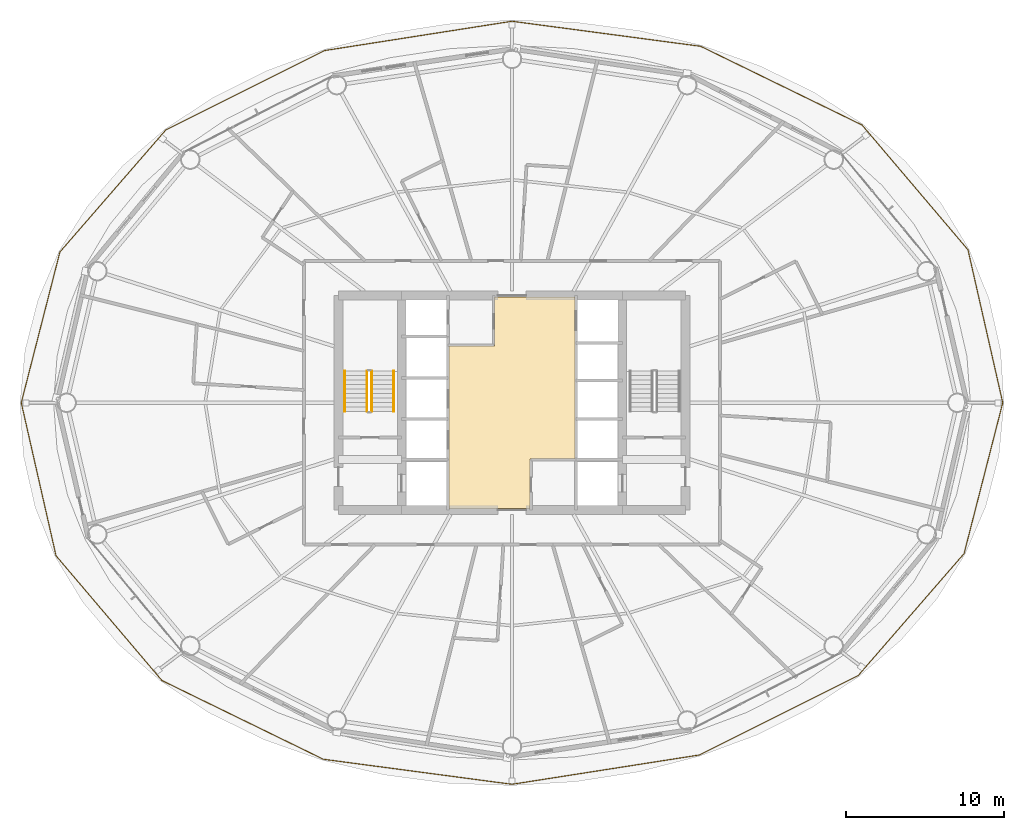
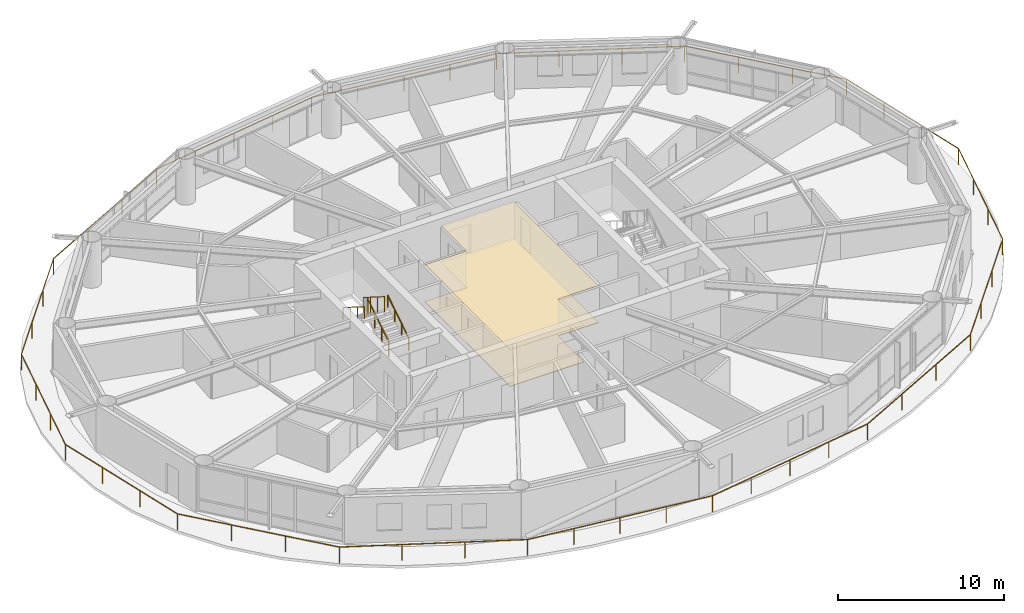
# One storey, part 23 of 24: 5 railings, 2 coverings.
"""IFC4 building model written with IfcOpenShell, lengths in metres."""

from ifc_helpers import new_model, si_unit, direction, frame, origin, origin_2d, place, context, subcontext, project, spatial, polyline, rectangle, outline, extrude, material, layer, layer_set, type_object, element, save


model = new_model("IFC4")

# Units and contexts
model_context = context("Model", 3, precision=1e-05, world=origin(), true_north=direction((0.0, 1.0)))
body_context = subcontext(model_context, "Body", "Model", "MODEL_VIEW")
ifc_project = project(units=[si_unit("LENGTHUNIT", "METRE"), si_unit("AREAUNIT", "SQUARE_METRE"), si_unit("VOLUMEUNIT", "CUBIC_METRE"), si_unit("PLANEANGLEUNIT", "RADIAN"), si_unit("MASSUNIT", "GRAM", prefix="KILO")], contexts=[model_context])

# Site, building, storey
site_placement = place(None, origin())
site = spatial("IfcSite", under=ifc_project, at=site_placement, CompositionType="ELEMENT")
building_placement = place(site_placement, origin())
building = spatial("IfcBuilding", under=site, at=building_placement, Name="Sarneth Arch Tower", CompositionType="ELEMENT")
storey_placement = place(building_placement, frame((0.0, 0.0, 98.39990234375)))
storey = spatial("IfcBuildingStorey", under=building, at=storey_placement, Name="L24", CompositionType="ELEMENT", Elevation=98.39990234375)

# Coverings
ifc_material_1 = material(Name="Perforated acoustic gypsum ceiling board")
ifc_layer_1 = layer(ifc_material_1, 0.02490234375)
ifc_layer_set_1 = layer_set([ifc_layer_1], Name="Perforated acoustic gypsum ceiling board")
covering_type_1 = type_object("IfcCoveringType", Name="COV-CEIL-GYP", PredefinedType="CEILING", material=ifc_layer_set_1)
covering_1_placement = place(storey_placement, frame((0.0, 0.0, 2.710205078125)))
element("IfcCovering", 1, at=covering_1_placement, inside=storey, type_object=covering_type_1, Name="L24 Lift lobby acoustic ceiling", PredefinedType="CEILING", context=body_context, shape_type="SweptSolid", body=[
    extrude(outline(polyline([(49.14990234375, 38.449951171875), (49.14990234375, 35.300048828125), (44.0, 35.300048828125), (44.0, 45.60009765625), (46.89990234375, 45.60009765625), (46.89990234375, 48.699951171875), (52.0, 48.699951171875), (52.0, 38.449951171875), (49.14990234375, 38.449951171875)])), origin(), (0.0, 0.0, 1.0), 0.02978515625),
])
ifc_material_2 = material(Name="Honed granite stone flooring", Category="masonry")
ifc_layer_2 = layer(ifc_material_2, 0.030029296875)
ifc_layer_set_2 = layer_set([ifc_layer_2], Name="Honed granite stone flooring")
covering_type_2 = type_object("IfcCoveringType", Name="COV-FLR-STONE", PredefinedType="FLOORING", material=ifc_layer_set_2)
covering_2_placement = place(storey_placement, origin())
element("IfcCovering", 2, at=covering_2_placement, inside=storey, type_object=covering_type_2, Name="L24 Lift lobby granite flooring", PredefinedType="FLOORING", context=body_context, shape_type="SweptSolid", body=[
    extrude(outline(polyline([(49.14990234375, 38.449951171875), (49.14990234375, 35.300048828125), (44.0, 35.300048828125), (44.0, 45.60009765625), (46.89990234375, 45.60009765625), (46.89990234375, 48.699951171875), (52.0, 48.699951171875), (52.0, 38.449951171875), (49.14990234375, 38.449951171875)])), origin(), (0.0, 0.0, 1.0), 0.030029296875),
])

# Railings
ifc_material_3 = material(Name="Laminated structural glass infill with Stainless Steel 316 top rail and posts", Category="steel")
railing_type_1 = type_object("IfcRailingType", Name="RAIL-BALC-1200", PredefinedType="BALUSTRADE", material=ifc_material_3)
railing_1_placement = place(storey_placement, frame((79.114013671875, 42.0, 0.0)))
element("IfcRailing", 3, at=railing_1_placement, inside=storey, type_object=railing_type_1, Name="L24 Helical balcony glass balustrade", PredefinedType="BALUSTRADE", context=body_context, shape_type="SweptSolid", body=[
    extrude(rectangle(XDim=0.048095703125, YDim=0.048095703125, at=origin_2d()), frame((0.0, 0.0, 1.17578125), z_axis=(-0.221626407649, 0.975131650308, 0.0), x_axis=(-0.975131650308, -0.221626407649, 0.0)), (0.0, 0.0, 1.0), 9.947265625),
    extrude(rectangle(XDim=0.048095703125, YDim=0.048095703125, at=origin_2d()), frame((-2.20458984375, 9.699951171875, 1.17578125), z_axis=(-0.647185935495, 0.762332188024, 0.0), x_axis=(-0.762332188024, -0.647185935495, 0.0)), (0.0, 0.0, 1.0), 10.37646484375),
    extrude(rectangle(XDim=0.048095703125, YDim=0.048095703125, at=origin_2d()), frame((-8.920166015625, 17.6103515625, 1.17578125), z_axis=(-0.898813574711, 0.438331105348, 0.0), x_axis=(-0.438331105348, -0.898813574711, 0.0)), (0.0, 0.0, 1.0), 11.38525390625),
    extrude(rectangle(XDim=0.048095703125, YDim=0.048095703125, at=origin_2d()), frame((-19.1533203125, 22.600830078125, 1.17578125), z_axis=(-0.991299678521, 0.131624265861, 0.0), x_axis=(-0.131624265861, -0.991299678521, 0.0)), (0.0, 0.0, 1.0), 12.065673828125),
    extrude(rectangle(XDim=0.048095703125, YDim=0.048095703125, at=origin_2d()), frame((-31.114013671875, 24.18896484375, 1.17578125), z_axis=(-0.987979871928, -0.154582575554, 0.0), x_axis=(0.154582575554, -0.987979871928, 0.0)), (0.0, 0.0, 1.0), 12.0205078125),
    extrude(rectangle(XDim=0.048095703125, YDim=0.048095703125, at=origin_2d()), frame((-42.989990234375, 22.330810546875, 1.17578125), z_axis=(-0.894370848312, -0.447326263134, 0.0), x_axis=(0.447326263134, -0.894370848312, 0.0)), (0.0, 0.0, 1.0), 11.267578125),
    extrude(rectangle(XDim=0.048095703125, YDim=0.048095703125, at=origin_2d()), frame((-53.0673828125, 17.29052734375, 1.17578125), z_axis=(-0.655540630208, -0.755159905017, 0.0), x_axis=(0.755159905017, -0.655540630208, 0.0)), (0.0, 0.0, 1.0), 10.234375),
    extrude(rectangle(XDim=0.048095703125, YDim=0.048095703125, at=origin_2d()), frame((-59.7763671875, 9.56201171875, 1.17578125), z_axis=(-0.24836225934, -0.968667222598, 0.0), x_axis=(0.968667222598, -0.24836225934, 0.0)), (0.0, 0.0, 1.0), 9.871337890625),
    extrude(rectangle(XDim=0.048095703125, YDim=0.048095703125, at=origin_2d()), frame((-62.22802734375, 0.0, 1.17578125), z_axis=(0.221626407649, -0.975131650308, 0.0), x_axis=(0.975131650308, 0.221626407649, 0.0)), (0.0, 0.0, 1.0), 9.947265625),
    extrude(rectangle(XDim=0.048095703125, YDim=0.048095703125, at=origin_2d()), frame((-60.0234375, -9.699951171875, 1.17578125), z_axis=(0.647185935495, -0.762332188024, 0.0), x_axis=(0.762332188024, 0.647185935495, 0.0)), (0.0, 0.0, 1.0), 10.37646484375),
    extrude(rectangle(XDim=0.048095703125, YDim=0.048095703125, at=origin_2d()), frame((-53.307861328125, -17.6103515625, 1.17578125), z_axis=(0.898813574711, -0.438331105348, 0.0), x_axis=(0.438331105348, 0.898813574711, 0.0)), (0.0, 0.0, 1.0), 11.38525390625),
    extrude(rectangle(XDim=0.048095703125, YDim=0.048095703125, at=origin_2d()), frame((-43.07470703125, -22.600830078125, 1.17578125), z_axis=(0.991299678521, -0.131624265861, 0.0), x_axis=(0.131624265861, 0.991299678521, 0.0)), (0.0, 0.0, 1.0), 12.065673828125),
    extrude(rectangle(XDim=0.048095703125, YDim=0.048095703125, at=origin_2d()), frame((-31.114013671875, -24.18896484375, 1.17578125), z_axis=(0.987979871928, 0.154582575554, 0.0), x_axis=(-0.154582575554, 0.987979871928, 0.0)), (0.0, 0.0, 1.0), 12.0205078125),
    extrude(rectangle(XDim=0.048095703125, YDim=0.048095703125, at=origin_2d()), frame((-19.238037109375, -22.330810546875, 1.17578125), z_axis=(0.894370848312, 0.447326263134, 0.0), x_axis=(-0.447326263134, 0.894370848312, 0.0)), (0.0, 0.0, 1.0), 11.267578125),
    extrude(rectangle(XDim=0.048095703125, YDim=0.048095703125, at=origin_2d()), frame((-9.16064453125, -17.29052734375, 1.17578125), z_axis=(0.655540630208, 0.755159905017, 0.0), x_axis=(-0.755159905017, 0.655540630208, 0.0)), (0.0, 0.0, 1.0), 10.234375),
    extrude(rectangle(XDim=0.048095703125, YDim=0.048095703125, at=origin_2d()), frame((-2.45166015625, -9.56201171875, 1.17578125), z_axis=(0.24836225934, 0.968667222598, 0.0), x_axis=(-0.968667222598, 0.24836225934, 0.0)), (0.0, 0.0, 1.0), 9.871337890625),
    extrude(rectangle(XDim=0.0419921875, YDim=0.0419921875, at=origin_2d()), origin(), (0.0, 0.0, 1.0), 1.15185546875),
    extrude(rectangle(XDim=0.0419921875, YDim=0.0419921875, at=origin_2d()), frame((-0.73486328125, 3.2333984375, 0.0)), (0.0, 0.0, 1.0), 1.15185546875),
    extrude(rectangle(XDim=0.0419921875, YDim=0.0419921875, at=origin_2d()), frame((-1.4697265625, 6.466552734375, 0.0)), (0.0, 0.0, 1.0), 1.15185546875),
    extrude(rectangle(XDim=0.0419921875, YDim=0.0419921875, at=origin_2d()), frame((-2.20458984375, 9.699951171875, 0.0)), (0.0, 0.0, 1.0), 1.15185546875),
    extrude(rectangle(XDim=0.0419921875, YDim=0.0419921875, at=origin_2d()), frame((-4.443115234375, 12.336669921875, 0.0)), (0.0, 0.0, 1.0), 1.15185546875),
    extrude(rectangle(XDim=0.0419921875, YDim=0.0419921875, at=origin_2d()), frame((-6.681640625, 14.9736328125, 0.0)), (0.0, 0.0, 1.0), 1.15185546875),
    extrude(rectangle(XDim=0.0419921875, YDim=0.0419921875, at=origin_2d()), frame((-8.920166015625, 17.6103515625, 0.0)), (0.0, 0.0, 1.0), 1.15185546875),
    extrude(rectangle(XDim=0.0419921875, YDim=0.0419921875, at=origin_2d()), frame((-12.331298828125, 19.27392578125, 0.0)), (0.0, 0.0, 1.0), 1.15185546875),
    extrude(rectangle(XDim=0.0419921875, YDim=0.0419921875, at=origin_2d()), frame((-15.7421875, 20.937255859375, 0.0)), (0.0, 0.0, 1.0), 1.15185546875),
    extrude(rectangle(XDim=0.0419921875, YDim=0.0419921875, at=origin_2d()), frame((-19.1533203125, 22.600830078125, 0.0)), (0.0, 0.0, 1.0), 1.15185546875),
    extrude(rectangle(XDim=0.0419921875, YDim=0.0419921875, at=origin_2d()), frame((-22.1435546875, 22.997802734375, 0.0)), (0.0, 0.0, 1.0), 1.15185546875),
    extrude(rectangle(XDim=0.0419921875, YDim=0.0419921875, at=origin_2d()), frame((-25.1337890625, 23.39501953125, 0.0)), (0.0, 0.0, 1.0), 1.15185546875),
    extrude(rectangle(XDim=0.0419921875, YDim=0.0419921875, at=origin_2d()), frame((-28.123779296875, 23.7919921875, 0.0)), (0.0, 0.0, 1.0), 1.15185546875),
    extrude(rectangle(XDim=0.0419921875, YDim=0.0419921875, at=origin_2d()), frame((-31.114013671875, 24.18896484375, 0.0)), (0.0, 0.0, 1.0), 1.15185546875),
    extrude(rectangle(XDim=0.0419921875, YDim=0.0419921875, at=origin_2d()), frame((-34.0830078125, 23.724365234375, 0.0)), (0.0, 0.0, 1.0), 1.15185546875),
    extrude(rectangle(XDim=0.0419921875, YDim=0.0419921875, at=origin_2d()), frame((-37.052001953125, 23.259765625, 0.0)), (0.0, 0.0, 1.0), 1.15185546875),
    extrude(rectangle(XDim=0.0419921875, YDim=0.0419921875, at=origin_2d()), frame((-40.02099609375, 22.79541015625, 0.0)), (0.0, 0.0, 1.0), 1.15185546875),
    extrude(rectangle(XDim=0.0419921875, YDim=0.0419921875, at=origin_2d()), frame((-42.989990234375, 22.330810546875, 0.0)), (0.0, 0.0, 1.0), 1.15185546875),
    extrude(rectangle(XDim=0.0419921875, YDim=0.0419921875, at=origin_2d()), frame((-46.34912109375, 20.650634765625, 0.0)), (0.0, 0.0, 1.0), 1.15185546875),
    extrude(rectangle(XDim=0.0419921875, YDim=0.0419921875, at=origin_2d()), frame((-49.708251953125, 18.970703125, 0.0)), (0.0, 0.0, 1.0), 1.15185546875),
    extrude(rectangle(XDim=0.0419921875, YDim=0.0419921875, at=origin_2d()), frame((-53.0673828125, 17.29052734375, 0.0)), (0.0, 0.0, 1.0), 1.15185546875),
    extrude(rectangle(XDim=0.0419921875, YDim=0.0419921875, at=origin_2d()), frame((-55.3037109375, 14.71435546875, 0.0)), (0.0, 0.0, 1.0), 1.15185546875),
    extrude(rectangle(XDim=0.0419921875, YDim=0.0419921875, at=origin_2d()), frame((-57.5400390625, 12.13818359375, 0.0)), (0.0, 0.0, 1.0), 1.15185546875),
    extrude(rectangle(XDim=0.0419921875, YDim=0.0419921875, at=origin_2d()), frame((-59.7763671875, 9.56201171875, 0.0)), (0.0, 0.0, 1.0), 1.15185546875),
    extrude(rectangle(XDim=0.0419921875, YDim=0.0419921875, at=origin_2d()), frame((-60.593505859375, 6.374755859375, 0.0)), (0.0, 0.0, 1.0), 1.15185546875),
    extrude(rectangle(XDim=0.0419921875, YDim=0.0419921875, at=origin_2d()), frame((-61.410888671875, 3.187255859375, 0.0)), (0.0, 0.0, 1.0), 1.15185546875),
    extrude(rectangle(XDim=0.0419921875, YDim=0.0419921875, at=origin_2d()), frame((-62.22802734375, 0.0, 0.0)), (0.0, 0.0, 1.0), 1.15185546875),
    extrude(rectangle(XDim=0.0419921875, YDim=0.0419921875, at=origin_2d()), frame((-61.4931640625, -3.2333984375, 0.0)), (0.0, 0.0, 1.0), 1.15185546875),
    extrude(rectangle(XDim=0.0419921875, YDim=0.0419921875, at=origin_2d()), frame((-60.75830078125, -6.466552734375, 0.0)), (0.0, 0.0, 1.0), 1.15185546875),
    extrude(rectangle(XDim=0.0419921875, YDim=0.0419921875, at=origin_2d()), frame((-60.0234375, -9.699951171875, 0.0)), (0.0, 0.0, 1.0), 1.15185546875),
    extrude(rectangle(XDim=0.0419921875, YDim=0.0419921875, at=origin_2d()), frame((-57.784912109375, -12.336669921875, 0.0)), (0.0, 0.0, 1.0), 1.15185546875),
    extrude(rectangle(XDim=0.0419921875, YDim=0.0419921875, at=origin_2d()), frame((-55.54638671875, -14.9736328125, 0.0)), (0.0, 0.0, 1.0), 1.15185546875),
    extrude(rectangle(XDim=0.0419921875, YDim=0.0419921875, at=origin_2d()), frame((-53.307861328125, -17.6103515625, 0.0)), (0.0, 0.0, 1.0), 1.15185546875),
    extrude(rectangle(XDim=0.0419921875, YDim=0.0419921875, at=origin_2d()), frame((-49.896728515625, -19.27392578125, 0.0)), (0.0, 0.0, 1.0), 1.15185546875),
    extrude(rectangle(XDim=0.0419921875, YDim=0.0419921875, at=origin_2d()), frame((-46.48583984375, -20.937255859375, 0.0)), (0.0, 0.0, 1.0), 1.15185546875),
    extrude(rectangle(XDim=0.0419921875, YDim=0.0419921875, at=origin_2d()), frame((-43.07470703125, -22.600830078125, 0.0)), (0.0, 0.0, 1.0), 1.15185546875),
    extrude(rectangle(XDim=0.0419921875, YDim=0.0419921875, at=origin_2d()), frame((-40.08447265625, -22.997802734375, 0.0)), (0.0, 0.0, 1.0), 1.15185546875),
    extrude(rectangle(XDim=0.0419921875, YDim=0.0419921875, at=origin_2d()), frame((-37.09423828125, -23.39501953125, 0.0)), (0.0, 0.0, 1.0), 1.15185546875),
    extrude(rectangle(XDim=0.0419921875, YDim=0.0419921875, at=origin_2d()), frame((-34.104248046875, -23.7919921875, 0.0)), (0.0, 0.0, 1.0), 1.15185546875),
    extrude(rectangle(XDim=0.0419921875, YDim=0.0419921875, at=origin_2d()), frame((-31.114013671875, -24.18896484375, 0.0)), (0.0, 0.0, 1.0), 1.15185546875),
    extrude(rectangle(XDim=0.0419921875, YDim=0.0419921875, at=origin_2d()), frame((-28.14501953125, -23.724365234375, 0.0)), (0.0, 0.0, 1.0), 1.15185546875),
    extrude(rectangle(XDim=0.0419921875, YDim=0.0419921875, at=origin_2d()), frame((-25.176025390625, -23.259765625, 0.0)), (0.0, 0.0, 1.0), 1.15185546875),
    extrude(rectangle(XDim=0.0419921875, YDim=0.0419921875, at=origin_2d()), frame((-22.20703125, -22.79541015625, 0.0)), (0.0, 0.0, 1.0), 1.15185546875),
    extrude(rectangle(XDim=0.0419921875, YDim=0.0419921875, at=origin_2d()), frame((-19.238037109375, -22.330810546875, 0.0)), (0.0, 0.0, 1.0), 1.15185546875),
    extrude(rectangle(XDim=0.0419921875, YDim=0.0419921875, at=origin_2d()), frame((-15.87890625, -20.650634765625, 0.0)), (0.0, 0.0, 1.0), 1.15185546875),
    extrude(rectangle(XDim=0.0419921875, YDim=0.0419921875, at=origin_2d()), frame((-12.519775390625, -18.970703125, 0.0)), (0.0, 0.0, 1.0), 1.15185546875),
    extrude(rectangle(XDim=0.0419921875, YDim=0.0419921875, at=origin_2d()), frame((-9.16064453125, -17.29052734375, 0.0)), (0.0, 0.0, 1.0), 1.15185546875),
    extrude(rectangle(XDim=0.0419921875, YDim=0.0419921875, at=origin_2d()), frame((-6.92431640625, -14.71435546875, 0.0)), (0.0, 0.0, 1.0), 1.15185546875),
    extrude(rectangle(XDim=0.0419921875, YDim=0.0419921875, at=origin_2d()), frame((-4.68798828125, -12.13818359375, 0.0)), (0.0, 0.0, 1.0), 1.15185546875),
    extrude(rectangle(XDim=0.0419921875, YDim=0.0419921875, at=origin_2d()), frame((-2.45166015625, -9.56201171875, 0.0)), (0.0, 0.0, 1.0), 1.15185546875),
    extrude(rectangle(XDim=0.0419921875, YDim=0.0419921875, at=origin_2d()), frame((-1.634521484375, -6.374755859375, 0.0)), (0.0, 0.0, 1.0), 1.15185546875),
    extrude(rectangle(XDim=0.0419921875, YDim=0.0419921875, at=origin_2d()), frame((-0.817138671875, -3.187255859375, 0.0)), (0.0, 0.0, 1.0), 1.15185546875),
])
ifc_material_4 = material(Name="Brushed Stainless Steel 304 tubular handrail", Category="steel")
railing_type_2 = type_object("IfcRailingType", Name="RAIL-HANDRAIL-900", PredefinedType="HANDRAIL", material=ifc_material_4)
railing_2_placement = place(storey_placement, frame((40.5, 41.449951171875, 0.18017578125)))
element("IfcRailing", 4, at=railing_2_placement, inside=storey, type_object=railing_type_2, Name="L24 ST-1 stair handrail 1", PredefinedType="HANDRAIL", context=body_context, shape_type="SweptSolid", body=[
    extrude(rectangle(XDim=0.048095703125, YDim=0.048095703125, at=origin_2d()), frame((0.0, 0.0, 0.8759765625), z_axis=(0.0, 0.845502289212, 0.533971796014), x_axis=(-1.0, 0.0, 0.0)), (0.0, 0.0, 1.0), 3.03369140625),
    extrude(rectangle(XDim=0.0419921875, YDim=0.0419921875, at=origin_2d()), origin(), (0.0, 0.0, 1.0), 0.851806640625),
    extrude(rectangle(XDim=0.0419921875, YDim=0.0419921875, at=origin_2d()), frame((0.0, 0.85498046875, 0.5400390625)), (0.0, 0.0, 1.0), 0.851806640625),
    extrude(rectangle(XDim=0.0419921875, YDim=0.0419921875, at=origin_2d()), frame((0.0, 1.7099609375, 1.079833984375)), (0.0, 0.0, 1.0), 0.851806640625),
    extrude(rectangle(XDim=0.0419921875, YDim=0.0419921875, at=origin_2d()), frame((0.0, 2.56494140625, 1.619873046875)), (0.0, 0.0, 1.0), 0.851806640625),
])
railing_3_placement = place(storey_placement, frame((37.39990234375, 44.014892578125, 1.97998046875)))
element("IfcRailing", 5, at=railing_3_placement, inside=storey, type_object=railing_type_2, Name="L24 ST-1 stair handrail 2", PredefinedType="HANDRAIL", context=body_context, shape_type="SweptSolid", body=[
    extrude(rectangle(XDim=0.048095703125, YDim=0.048095703125, at=origin_2d()), frame((0.0, 0.0, 0.8759765625), z_axis=(0.0, -0.845465955043, 0.534029323973), x_axis=(1.0, 0.0, 0.0)), (0.0, 0.0, 1.0), 3.03369140625),
    extrude(rectangle(XDim=0.0419921875, YDim=0.0419921875, at=origin_2d()), origin(), (0.0, 0.0, 1.0), 0.851806640625),
    extrude(rectangle(XDim=0.0419921875, YDim=0.0419921875, at=origin_2d()), frame((0.0, -0.85498046875, 0.5400390625)), (0.0, 0.0, 1.0), 0.851806640625),
    extrude(rectangle(XDim=0.0419921875, YDim=0.0419921875, at=origin_2d()), frame((0.0, -1.7099609375, 1.080078125)), (0.0, 0.0, 1.0), 0.851806640625),
    extrude(rectangle(XDim=0.0419921875, YDim=0.0419921875, at=origin_2d()), frame((0.0, -2.56494140625, 1.6201171875)), (0.0, 0.0, 1.0), 0.851806640625),
])
ifc_material_5 = material(Name="Painted Steel S275 stair well guard", Category="steel")
railing_type_3 = type_object("IfcRailingType", Name="RAIL-STAIR-GUARD", PredefinedType="GUARDRAIL", material=ifc_material_5)
railing_4_placement = place(storey_placement, frame((39.10009765625, 41.449951171875, 0.18017578125)))
element("IfcRailing", 6, at=railing_4_placement, inside=storey, type_object=railing_type_3, Name="L24 ST-1 stair guard 1", PredefinedType="GUARDRAIL", context=body_context, shape_type="SweptSolid", body=[
    extrude(rectangle(XDim=0.048095703125, YDim=0.048095703125, at=origin_2d()), frame((0.0, 0.0, 1.1259765625), z_axis=(0.0, 0.845502289212, 0.533971796014), x_axis=(-1.0, 0.0, 0.0)), (0.0, 0.0, 1.0), 3.03369140625),
    extrude(rectangle(XDim=0.0419921875, YDim=0.0419921875, at=origin_2d()), origin(), (0.0, 0.0, 1.0), 1.101806640625),
    extrude(rectangle(XDim=0.0419921875, YDim=0.0419921875, at=origin_2d()), frame((0.0, 0.85498046875, 0.5400390625)), (0.0, 0.0, 1.0), 1.101806640625),
    extrude(rectangle(XDim=0.0419921875, YDim=0.0419921875, at=origin_2d()), frame((0.0, 1.7099609375, 1.079833984375)), (0.0, 0.0, 1.0), 1.101806640625),
    extrude(rectangle(XDim=0.0419921875, YDim=0.0419921875, at=origin_2d()), frame((0.0, 2.56494140625, 1.619873046875)), (0.0, 0.0, 1.0), 1.101806640625),
])
railing_5_placement = place(storey_placement, frame((38.800048828125, 44.014892578125, 1.97998046875)))
element("IfcRailing", 7, at=railing_5_placement, inside=storey, type_object=railing_type_3, Name="L24 ST-1 stair guard 3", PredefinedType="GUARDRAIL", context=body_context, shape_type="SweptSolid", body=[
    extrude(rectangle(XDim=0.048095703125, YDim=0.048095703125, at=origin_2d()), frame((0.0, 0.0, 1.1259765625), z_axis=(0.0, -0.845465955043, 0.534029323973), x_axis=(1.0, 0.0, 0.0)), (0.0, 0.0, 1.0), 3.03369140625),
    extrude(rectangle(XDim=0.0419921875, YDim=0.0419921875, at=origin_2d()), origin(), (0.0, 0.0, 1.0), 1.101806640625),
    extrude(rectangle(XDim=0.0419921875, YDim=0.0419921875, at=origin_2d()), frame((0.0, -0.85498046875, 0.5400390625)), (0.0, 0.0, 1.0), 1.101806640625),
    extrude(rectangle(XDim=0.0419921875, YDim=0.0419921875, at=origin_2d()), frame((0.0, -1.7099609375, 1.080078125)), (0.0, 0.0, 1.0), 1.101806640625),
    extrude(rectangle(XDim=0.0419921875, YDim=0.0419921875, at=origin_2d()), frame((0.0, -2.56494140625, 1.6201171875)), (0.0, 0.0, 1.0), 1.101806640625),
])

save(model, "model.ifc")
